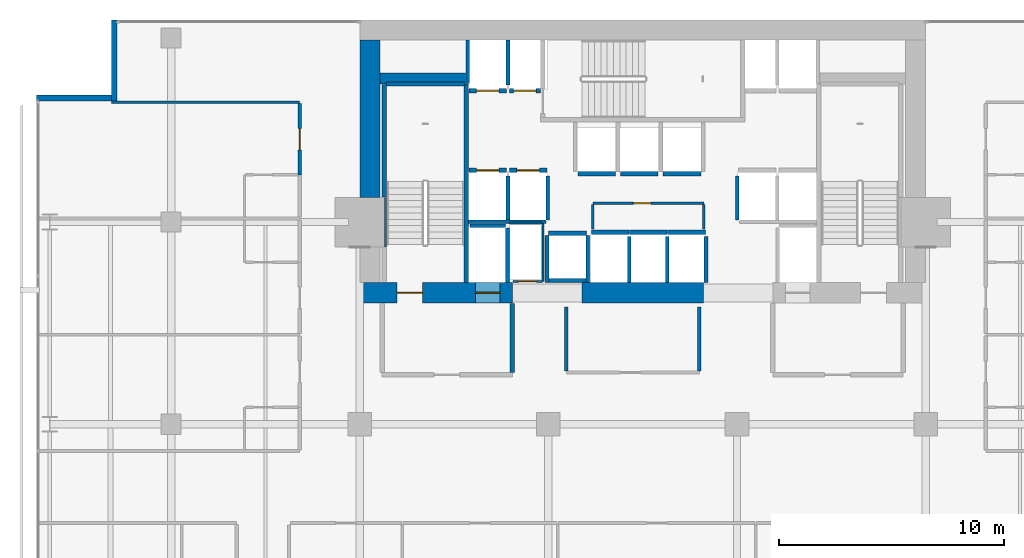
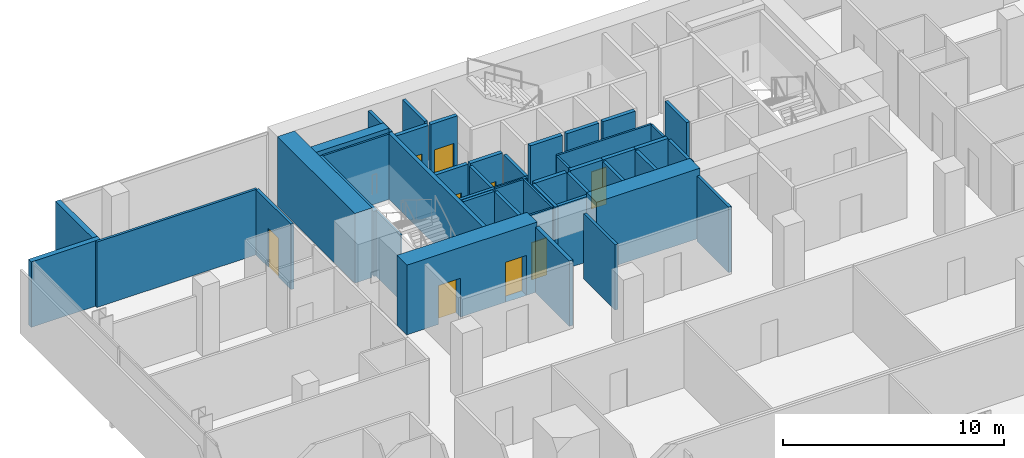
# One storey, part 36 of 40: 46 walls, 9 doors, 9 openings.
"""IFC4 building model written with IfcOpenShell, lengths in metres."""

from ifc_helpers import new_model, si_unit, direction, frame, frame_2d, origin, place, context, subcontext, project, spatial, rectangle, extrude, material, layer, layer_set, type_object, element, fill, save


model = new_model("IFC4")

# Units and contexts
model_context = context("Model", 3, precision=1e-05, world=origin(), true_north=direction((0.0, 1.0)))
body_context = subcontext(model_context, "Body", "Model", "MODEL_VIEW")
ifc_project = project(units=[si_unit("LENGTHUNIT", "METRE"), si_unit("AREAUNIT", "SQUARE_METRE"), si_unit("VOLUMEUNIT", "CUBIC_METRE"), si_unit("PLANEANGLEUNIT", "RADIAN"), si_unit("MASSUNIT", "GRAM", prefix="KILO")], contexts=[model_context])

# Site, building, storey
site_placement = place(None, origin())
site = spatial("IfcSite", under=ifc_project, at=site_placement, CompositionType="ELEMENT")
building_placement = place(site_placement, origin())
building = spatial("IfcBuilding", under=site, at=building_placement, Name="Maruvema Waterfront Hotel and Observation Tower", CompositionType="ELEMENT")
storey_placement = place(building_placement, frame((0.0, 0.0, 77.0)))
storey = spatial("IfcBuildingStorey", under=building, at=storey_placement, Name="L18", CompositionType="ELEMENT", Elevation=77.0)

# Walls
ifc_material_1 = material(Name="Twin-stud acoustic gypsum drywall", Category="gypsum")
ifc_layer_1 = layer(ifc_material_1, 0.14990234375, Name="Acoustic Corridor and Suite Demising Wall 150 mm")
ifc_layer_set_1 = layer_set([ifc_layer_1], Name="Twin-stud acoustic gypsum drywall")
wall_type_1 = type_object("IfcWallType", Name="Acoustic Corridor and Suite Demising Wall 150 mm", PredefinedType="PARTITIONING", material=ifc_layer_set_1)
for number, where, z_axis, x_axis, name in (
    (1, (34.39990234375, 38.3798828125, 0.0), (0.0, 0.0, 1.0), (0.0, 1.0, 0.0), "L18 Core Apron K0 West 014"),
    (2, (40.320068359375, 38.3798828125, 0.0), (0.0, 0.0, 1.0), (0.0, 1.0, 0.0), "L18 Core Apron K0 East 015"),
):
    element("IfcWall", number, at=place(storey_placement, frame(where, z_axis=z_axis, x_axis=x_axis)), inside=storey, type_object=wall_type_1, Name=name, PredefinedType="PARTITIONING", context=body_context, shape_type="SweptSolid", body=[
        extrude(rectangle(XDim=2.840087890625, YDim=0.14990234375, at=frame_2d((1.419921875, 0.0))), origin(), (0.0, 0.0, 1.0), 3.610107421875),
    ])

# Wall, opening, door
wall_1_placement = place(storey_placement, frame((22.52001953125, 47.1083984375, 0.0), z_axis=(0.0, 0.0, 1.0), x_axis=(0.0, 1.0, 0.0)))
wall_1 = element("IfcWall", 3, at=wall_1_placement, inside=storey, type_object=wall_type_1, Name="L18 Room L18-NW3 Corridor Wall 137", PredefinedType="PARTITIONING", context=body_context, shape_type="SweptSolid", body=[
    extrude(rectangle(XDim=3.169189453125, YDim=0.14990234375, at=frame_2d((1.58447265625, 0.0))), origin(), (0.0, 0.0, 1.0), 3.610107421875),
])
opening_1_placement = place(wall_1_placement, frame((1.109619140625, 0.0, 0.0)))
opening_1 = element("IfcOpeningElement", 4, at=opening_1_placement, cuts=wall_1, Name="Opening DR-095", PredefinedType="OPENING", context=body_context, shape_type="SweptSolid", body=[
    extrude(rectangle(XDim=0.949951171875, YDim=2.14990234375, at=frame_2d((0.47509765625, 1.074951171875))), frame((0.0, 0.0849609375, 0.0), z_axis=(0.0, -1.0, 0.0), x_axis=(1.0, 0.0, 0.0)), (0.0, 0.0, 1.0), 0.169921875),
])
ifc_material_2 = material(Name="Acoustic solid-core hardwood timber leaf", Category="wood")
door_type_1 = type_object("IfcDoorType", Name="Guestroom Entrance Fire Door 950x2150 mm", OperationType="NOTDEFINED", PredefinedType="DOOR", material=ifc_material_2)
door_1_placement = place(opening_1_placement, origin())
door_1 = element("IfcDoor", 5, at=door_1_placement, inside=storey, type_object=door_type_1, Name="L18 Room L18-NW3 Entrance Door", OperationType="SINGLE_SWING_LEFT", OverallHeight=2.14990234375, OverallWidth=0.949951171875, PredefinedType="DOOR", context=body_context, shape_type="SweptSolid", body=[
    extrude(rectangle(XDim=0.949951171875, YDim=2.14990234375, at=frame_2d((0.47509765625, 1.074951171875))), frame((0.0, 0.02490234375, 0.0), z_axis=(0.0, -1.0, 0.0), x_axis=(1.0, 0.0, 0.0)), (0.0, 0.0, 1.0), 0.050048828125),
])
fill(opening_1, door_1)

# Walls
ifc_material_3 = material(Name="Precast concrete C45/55", Category="concrete")
ifc_layer_2 = layer(ifc_material_3, 0.199951171875, Name="Core Shaft and Stairwell Enclosure Wall 200 mm")
ifc_layer_set_2 = layer_set([ifc_layer_2], Name="Precast concrete C45/55")
wall_type_2 = type_object("IfcWallType", Name="Core Shaft and Stairwell Enclosure Wall 200 mm", PredefinedType="SOLIDWALL", material=ifc_layer_set_2)
wall_2_placement = place(storey_placement, frame((29.949951171875, 42.300048828125, 0.0), z_axis=(0.0, 0.0, 1.0), x_axis=(0.0, 1.0, 0.0)))
element("IfcWall", 6, at=wall_2_placement, inside=storey, type_object=wall_type_2, Name="L18 Stairwell ST-01 East Shaft Wall", PredefinedType="SOLIDWALL", context=body_context, shape_type="SweptSolid", body=[
    extrude(rectangle(XDim=8.849853515625, YDim=0.199951171875, at=frame_2d((4.4248046875, 0.0))), origin(), (0.0, 0.0, 1.0), 3.610107421875),
])
wall_3_placement = place(storey_placement, frame((26.300048828125, 46.1201171875, 0.0), z_axis=(0.0, 0.0, 1.0), x_axis=(0.0, 1.0, 0.0)))
element("IfcWall", 7, at=wall_3_placement, inside=storey, type_object=wall_type_2, Name="L18 Stairwell ST-01 Shaft Lining Wall", PredefinedType="SOLIDWALL", context=body_context, shape_type="SweptSolid", body=[
    extrude(rectangle(XDim=5.0, YDim=0.199951171875, at=frame_2d((2.5, 0.0))), origin(), (0.0, 0.0, 1.0), 3.610107421875),
])
wall_4_placement = place(storey_placement, frame((26.3798828125, 51.14990234375, 0.0), z_axis=(0.0, 0.0, 1.0), x_axis=(1.0, 0.0, 0.0)))
element("IfcWall", 8, at=wall_4_placement, inside=storey, type_object=wall_type_2, Name="L18 Stairwell ST-01 Shaft Lining Wall", PredefinedType="SOLIDWALL", context=body_context, shape_type="SweptSolid", body=[
    extrude(rectangle(XDim=3.5, YDim=0.199951171875, at=frame_2d((1.75, 0.0))), origin(), (0.0, 0.0, 1.0), 3.610107421875),
])

# Wall, opening, door
wall_5_placement = place(storey_placement, frame((30.06005859375, 47.300048828125, 0.0), z_axis=(0.0, 0.0, 1.0), x_axis=(1.0, 0.0, 0.0)))
wall_5 = element("IfcWall", 9, at=wall_5_placement, inside=storey, type_object=wall_type_2, Name="L18 Lift LF-01 Hoistway Front Wall", PredefinedType="SOLIDWALL", context=body_context, shape_type="SweptSolid", body=[
    extrude(rectangle(XDim=1.679931640625, YDim=0.199951171875, at=frame_2d((0.83984375, 0.0))), origin(), (0.0, 0.0, 1.0), 3.610107421875),
])
opening_2_placement = place(wall_5_placement, frame((0.340087890625, 0.0, 0.0)))
opening_2 = element("IfcOpeningElement", 10, at=opening_2_placement, cuts=wall_5, Name="Opening LD-01", PredefinedType="OPENING", context=body_context, shape_type="SweptSolid", body=[
    extrude(rectangle(XDim=1.0, YDim=2.14990234375, at=frame_2d((0.5, 1.074951171875))), frame((0.0, 0.10986328125, 0.0), z_axis=(0.0, -1.0, 0.0), x_axis=(1.0, 0.0, 0.0)), (0.0, 0.0, 1.0), 0.219970703125),
])
ifc_material_4 = material(Name="Brushed stainless steel Grade 316", Category="steel")
door_type_2 = type_object("IfcDoorType", Name="Passenger Lift Sliding Landing Door 1000x2150 mm", OperationType="SLIDING_TO_LEFT", PredefinedType="DOOR", material=ifc_material_4)
door_2_placement = place(opening_2_placement, origin())
door_2 = element("IfcDoor", 11, at=door_2_placement, inside=storey, type_object=door_type_2, Name="L18 Lift LF-01 Sliding Landing Door", OperationType="SLIDING_TO_LEFT", OverallHeight=2.14990234375, OverallWidth=1.0, PredefinedType="DOOR", context=body_context, shape_type="SweptSolid", body=[
    extrude(rectangle(XDim=1.0, YDim=2.14990234375, at=frame_2d((0.5, 1.074951171875))), frame((0.0, 0.02490234375, 0.0), z_axis=(0.0, -1.0, 0.0), x_axis=(1.0, 0.0, 0.0)), (0.0, 0.0, 1.0), 0.050048828125),
])
fill(opening_2, door_2)

wall_6_placement = place(storey_placement, frame((31.860107421875, 47.300048828125, 0.0), z_axis=(0.0, 0.0, 1.0), x_axis=(1.0, 0.0, 0.0)))
wall_6 = element("IfcWall", 12, at=wall_6_placement, inside=storey, type_object=wall_type_2, Name="L18 Lift LF-02 Hoistway Front Wall", PredefinedType="SOLIDWALL", context=body_context, shape_type="SweptSolid", body=[
    extrude(rectangle(XDim=1.679931640625, YDim=0.199951171875, at=frame_2d((0.83984375, 0.0))), origin(), (0.0, 0.0, 1.0), 3.610107421875),
])
opening_3_placement = place(wall_6_placement, frame((0.340087890625, 0.0, 0.0)))
opening_3 = element("IfcOpeningElement", 13, at=opening_3_placement, cuts=wall_6, Name="Opening LD-01", PredefinedType="OPENING", context=body_context, shape_type="SweptSolid", body=[
    extrude(rectangle(XDim=1.0, YDim=2.14990234375, at=frame_2d((0.5, 1.074951171875))), frame((0.0, 0.10986328125, 0.0), z_axis=(0.0, -1.0, 0.0), x_axis=(1.0, 0.0, 0.0)), (0.0, 0.0, 1.0), 0.219970703125),
])
door_3_placement = place(opening_3_placement, origin())
door_3 = element("IfcDoor", 14, at=door_3_placement, inside=storey, type_object=door_type_2, Name="L18 Lift LF-02 Sliding Landing Door", OperationType="SLIDING_TO_LEFT", OverallHeight=2.14990234375, OverallWidth=1.0, PredefinedType="DOOR", context=body_context, shape_type="SweptSolid", body=[
    extrude(rectangle(XDim=1.0, YDim=2.14990234375, at=frame_2d((0.5, 1.074951171875))), frame((0.0, 0.02490234375, 0.0), z_axis=(0.0, -1.0, 0.0), x_axis=(1.0, 0.0, 0.0)), (0.0, 0.0, 1.0), 0.050048828125),
])
fill(opening_3, door_3)

wall_7_placement = place(storey_placement, frame((30.06005859375, 50.85009765625, 0.0), z_axis=(0.0, 0.0, 1.0), x_axis=(1.0, 0.0, 0.0)))
wall_7 = element("IfcWall", 15, at=wall_7_placement, inside=storey, type_object=wall_type_2, Name="L18 Lift LF-03 Hoistway Front Wall", PredefinedType="SOLIDWALL", context=body_context, shape_type="SweptSolid", body=[
    extrude(rectangle(XDim=1.679931640625, YDim=0.199951171875, at=frame_2d((0.83984375, 0.0))), origin(), (0.0, 0.0, 1.0), 3.610107421875),
])
opening_4_placement = place(wall_7_placement, frame((0.340087890625, 0.0, 0.0)))
opening_4 = element("IfcOpeningElement", 16, at=opening_4_placement, cuts=wall_7, Name="Opening LD-01", PredefinedType="OPENING", context=body_context, shape_type="SweptSolid", body=[
    extrude(rectangle(XDim=1.0, YDim=2.14990234375, at=frame_2d((0.5, 1.074951171875))), frame((0.0, 0.10986328125, 0.0), z_axis=(0.0, -1.0, 0.0), x_axis=(1.0, 0.0, 0.0)), (0.0, 0.0, 1.0), 0.219970703125),
])
door_4_placement = place(opening_4_placement, frame((1.0, 0.0, 0.0), z_axis=(0.0, 0.0, 1.0), x_axis=(-1.0, 0.0, 0.0)))
door_4 = element("IfcDoor", 17, at=door_4_placement, inside=storey, type_object=door_type_2, Name="L18 Lift LF-03 Sliding Landing Door", OperationType="SLIDING_TO_LEFT", OverallHeight=2.14990234375, OverallWidth=1.0, PredefinedType="DOOR", context=body_context, shape_type="SweptSolid", body=[
    extrude(rectangle(XDim=1.0, YDim=2.14990234375, at=frame_2d((0.5, 1.074951171875))), frame((0.0, 0.02490234375, 0.0), z_axis=(0.0, -1.0, 0.0), x_axis=(1.0, 0.0, 0.0)), (0.0, 0.0, 1.0), 0.050048828125),
])
fill(opening_4, door_4)

wall_8_placement = place(storey_placement, frame((31.860107421875, 50.85009765625, 0.0), z_axis=(0.0, 0.0, 1.0), x_axis=(1.0, 0.0, 0.0)))
wall_8 = element("IfcWall", 18, at=wall_8_placement, inside=storey, type_object=wall_type_2, Name="L18 Lift LF-04 Hoistway Front Wall", PredefinedType="SOLIDWALL", context=body_context, shape_type="SweptSolid", body=[
    extrude(rectangle(XDim=1.3798828125, YDim=0.199951171875, at=frame_2d((0.68994140625, 0.0))), origin(), (0.0, 0.0, 1.0), 3.610107421875),
])
opening_5_placement = place(wall_8_placement, frame((0.18994140625, 0.0, 0.0)))
opening_5 = element("IfcOpeningElement", 19, at=opening_5_placement, cuts=wall_8, Name="Opening LD-01", PredefinedType="OPENING", context=body_context, shape_type="SweptSolid", body=[
    extrude(rectangle(XDim=1.0, YDim=2.14990234375, at=frame_2d((0.5, 1.074951171875))), frame((0.0, 0.10986328125, 0.0), z_axis=(0.0, -1.0, 0.0), x_axis=(1.0, 0.0, 0.0)), (0.0, 0.0, 1.0), 0.219970703125),
])
door_5_placement = place(opening_5_placement, frame((1.0, 0.0, 0.0), z_axis=(0.0, 0.0, 1.0), x_axis=(-1.0, 0.0, 0.0)))
door_5 = element("IfcDoor", 20, at=door_5_placement, inside=storey, type_object=door_type_2, Name="L18 Lift LF-04 Sliding Landing Door", OperationType="SLIDING_TO_LEFT", OverallHeight=2.14990234375, OverallWidth=1.0, PredefinedType="DOOR", context=body_context, shape_type="SweptSolid", body=[
    extrude(rectangle(XDim=1.0, YDim=2.14990234375, at=frame_2d((0.5, 1.074951171875))), frame((0.0, 0.02490234375, 0.0), z_axis=(0.0, -1.0, 0.0), x_axis=(1.0, 0.0, 0.0)), (0.0, 0.0, 1.0), 0.050048828125),
])
fill(opening_5, door_5)

# Walls
for number, where, z_axis, x_axis, name in (
    (21, (35.510009765625, 44.550048828125, 0.0), (0.0, 0.0, 1.0), (1.0, 0.0, 0.0), "L18 Lift LF-09 Hoistway Front Wall"),
    (22, (37.2099609375, 44.550048828125, 0.0), (0.0, 0.0, 1.0), (1.0, 0.0, 0.0), "L18 Lift LF-10 Hoistway Front Wall"),
):
    element("IfcWall", number, at=place(storey_placement, frame(where, z_axis=z_axis, x_axis=x_axis)), inside=storey, type_object=wall_type_2, Name=name, PredefinedType="SOLIDWALL", context=body_context, shape_type="SweptSolid", body=[
        extrude(rectangle(XDim=1.679931640625, YDim=0.199951171875, at=frame_2d((0.83984375, 0.0))), origin(), (0.0, 0.0, 1.0), 3.610107421875),
    ])
for number, where, z_axis, x_axis, name in (
    (23, (38.909912109375, 44.550048828125, 0.0), (0.0, 0.0, 1.0), (1.0, 0.0, 0.0), "L18 Lift LF-11 Hoistway Front Wall"),
    (24, (34.909912109375, 47.14990234375, 0.0), (0.0, 0.0, 1.0), (1.0, 0.0, 0.0), "L18 Lift LF-12 Hoistway Front Wall"),
):
    element("IfcWall", number, at=place(storey_placement, frame(where, z_axis=z_axis, x_axis=x_axis)), inside=storey, type_object=wall_type_2, Name=name, PredefinedType="SOLIDWALL", context=body_context, shape_type="SweptSolid", body=[
        extrude(rectangle(XDim=1.68017578125, YDim=0.199951171875, at=frame_2d((0.840087890625, 0.0))), origin(), (0.0, 0.0, 1.0), 3.610107421875),
    ])
for number, where, z_axis, x_axis, name in (
    (25, (36.81005859375, 47.14990234375, 0.0), (0.0, 0.0, 1.0), (1.0, 0.0, 0.0), "L18 Lift LF-13 Hoistway Front Wall"),
    (26, (38.7099609375, 47.14990234375, 0.0), (0.0, 0.0, 1.0), (1.0, 0.0, 0.0), "L18 Lift LF-14 Hoistway Front Wall"),
    (27, (33.610107421875, 44.5, 0.0), (0.0, 0.0, 1.0), (1.0, 0.0, 0.0), "L18 Lift LF-15 Hoistway Front Wall"),
):
    element("IfcWall", number, at=place(storey_placement, frame(where, z_axis=z_axis, x_axis=x_axis)), inside=storey, type_object=wall_type_2, Name=name, PredefinedType="SOLIDWALL", context=body_context, shape_type="SweptSolid", body=[
        extrude(rectangle(XDim=1.679931640625, YDim=0.199951171875, at=frame_2d((0.83984375, 0.0))), origin(), (0.0, 0.0, 1.0), 3.610107421875),
    ])
ifc_material_5 = material(Name="Concrete C70/85", Category="concrete")
ifc_layer_3 = layer(ifc_material_5, 0.5, Name="Core Shear Wall 500 mm")
ifc_layer_set_3 = layer_set([ifc_layer_3], Name="Concrete C70/85")
wall_type_3 = type_object("IfcWallType", Name="Core Shear Wall 500 mm", PredefinedType="SHEAR", material=ifc_layer_set_3)
wall_9_placement = place(storey_placement, frame((26.10009765625, 51.39990234375, 0.0), z_axis=(0.0, 0.0, 1.0), x_axis=(1.0, 0.0, 0.0)))
element("IfcWall", 28, at=wall_9_placement, inside=storey, type_object=wall_type_3, Name="L18 Internal Core Shear Wall NW 500 mm", PredefinedType="SHEAR", context=body_context, shape_type="SweptSolid", body=[
    extrude(rectangle(XDim=3.7998046875, YDim=0.5, at=frame_2d((1.89990234375, 0.0))), origin(), (0.0, 0.0, 1.0), 3.85009765625),
])

# Wall, openings, doors
ifc_material_6 = material(Name="Concrete C80/95", Category="concrete")
ifc_layer_4 = layer(ifc_material_6, 0.89990234375, Name="Core Shear Wall 900 mm")
ifc_layer_set_4 = layer_set([ifc_layer_4], Name="Concrete C80/95")
wall_type_4 = type_object("IfcWallType", Name="Core Shear Wall 900 mm", PredefinedType="SHEAR", material=ifc_layer_set_4)
wall_10_placement = place(storey_placement, frame((25.199951171875, 41.85009765625, 0.0), z_axis=(0.0, 0.0, 1.0), x_axis=(1.0, 0.0, 0.0)))
wall_10 = element("IfcWall", 29, at=wall_10_placement, inside=storey, type_object=wall_type_4, Name="L18 South-West Core Shear Wall", PredefinedType="SHEAR", context=body_context, shape_type="SweptSolid", body=[
    extrude(rectangle(XDim=6.800048828125, YDim=0.89990234375, at=frame_2d((3.39990234375, 0.0))), origin(), (0.0, 0.0, 1.0), 3.85009765625),
])
opening_6_placement = place(wall_10_placement, frame((1.64990234375, 0.0, 0.0)))
opening_6 = element("IfcOpeningElement", 30, at=opening_6_placement, cuts=wall_10, Name="Opening SD-01", PredefinedType="OPENING", context=body_context, shape_type="SweptSolid", body=[
    extrude(rectangle(XDim=1.14990234375, YDim=2.14990234375, at=frame_2d((0.574951171875, 1.074951171875))), frame((0.0, 0.4599609375, 0.0), z_axis=(0.0, -1.0, 0.0), x_axis=(1.0, 0.0, 0.0)), (0.0, 0.0, 1.0), 0.919921875),
])
opening_7_placement = place(wall_10_placement, frame((5.14990234375, 0.0, 0.0)))
opening_7 = element("IfcOpeningElement", 31, at=opening_7_placement, cuts=wall_10, Name="Opening LD-03", PredefinedType="OPENING", context=body_context, shape_type="SweptSolid", body=[
    extrude(rectangle(XDim=1.10009765625, YDim=2.199951171875, at=frame_2d((0.550048828125, 1.10009765625))), frame((0.0, 0.4599609375, 0.0), z_axis=(0.0, -1.0, 0.0), x_axis=(1.0, 0.0, 0.0)), (0.0, 0.0, 1.0), 0.919921875),
])
ifc_material_7 = material(Name="Fire-rated galvanised steel leaf", Category="steel")
door_type_3 = type_object("IfcDoorType", Name="Exit Stair Fire Door 1150x2150 mm", OperationType="NOTDEFINED", PredefinedType="DOOR", material=ifc_material_7)
door_6_placement = place(opening_6_placement, origin())
door_6 = element("IfcDoor", 32, at=door_6_placement, inside=storey, type_object=door_type_3, Name="L18 Exit Stair ST-01 Fire Door", OperationType="SINGLE_SWING_LEFT", OverallHeight=2.14990234375, OverallWidth=1.14990234375, PredefinedType="DOOR", context=body_context, shape_type="SweptSolid", body=[
    extrude(rectangle(XDim=1.14990234375, YDim=2.14990234375, at=frame_2d((0.574951171875, 1.074951171875))), frame((0.0, 0.02490234375, 0.0), z_axis=(0.0, -1.0, 0.0), x_axis=(1.0, 0.0, 0.0)), (0.0, 0.0, 1.0), 0.050048828125),
])
fill(opening_6, door_6)
ifc_material_8 = material(Name="Brushed stainless steel Grade 316", Category="steel")
door_type_4 = type_object("IfcDoorType", Name="Firefighting Lift Sliding Landing Door 1100x2200 mm", OperationType="SLIDING_TO_LEFT", PredefinedType="DOOR", material=ifc_material_8)
door_7_placement = place(opening_7_placement, frame((1.10009765625, 0.0, 0.0), z_axis=(0.0, 0.0, 1.0), x_axis=(-1.0, 0.0, 0.0)))
door_7 = element("IfcDoor", 33, at=door_7_placement, inside=storey, type_object=door_type_4, Name="L18 Firefighting Lift FL-01 Landing Door", OperationType="SLIDING_TO_LEFT", OverallHeight=2.199951171875, OverallWidth=1.10009765625, PredefinedType="DOOR", context=body_context, shape_type="SweptSolid", body=[
    extrude(rectangle(XDim=1.10009765625, YDim=2.199951171875, at=frame_2d((0.550048828125, 1.10009765625))), frame((0.0, 0.02490234375, 0.0), z_axis=(0.0, -1.0, 0.0), x_axis=(1.0, 0.0, 0.0)), (0.0, 0.0, 1.0), 0.050048828125),
])
fill(opening_7, door_7)

# Walls
wall_11_placement = place(storey_placement, frame((35.10009765625, 41.85009765625, 0.0), z_axis=(0.0, 0.0, 1.0), x_axis=(1.0, 0.0, 0.0)))
element("IfcWall", 34, at=wall_11_placement, inside=storey, type_object=wall_type_4, Name="L18 South-Central Core Shear Wall", PredefinedType="SHEAR", context=body_context, shape_type="SweptSolid", body=[
    extrude(rectangle(XDim=5.39990234375, YDim=0.89990234375, at=frame_2d((2.699951171875, 0.0))), origin(), (0.0, 0.0, 1.0), 3.85009765625),
])
wall_12_placement = place(storey_placement, frame((25.64990234375, 46.10009765625, 0.0), z_axis=(0.0, 0.0, 1.0), x_axis=(0.0, 1.0, 0.0)))
element("IfcWall", 35, at=wall_12_placement, inside=storey, type_object=wall_type_4, Name="L18 West-North Core Shear Wall", PredefinedType="SHEAR", context=body_context, shape_type="SweptSolid", body=[
    extrude(rectangle(XDim=7.0, YDim=0.89990234375, at=frame_2d((3.5, 0.0))), origin(), (0.0, 0.0, 1.0), 3.85009765625),
])

# Wall, opening, door
ifc_material_9 = material(Name="Moisture-resistant cement-board drywall", Category="gypsum")
ifc_layer_5 = layer(ifc_material_9, 0.10009765625, Name="En-Suite Moisture-Resistant Partition 100 mm")
ifc_layer_set_5 = layer_set([ifc_layer_5], Name="Moisture-resistant cement-board drywall")
wall_type_5 = type_object("IfcWallType", Name="En-Suite Moisture-Resistant Partition 100 mm", PredefinedType="PARTITIONING", material=ifc_layer_set_5)
wall_13_placement = place(storey_placement, frame((32.02001953125, 42.360107421875, 0.0), z_axis=(0.0, 0.0, 1.0), x_axis=(1.0, 0.0, 0.0)))
wall_13 = element("IfcWall", 36, at=wall_13_placement, inside=storey, type_object=wall_type_5, Name="L18 Telecom Riser South Wall 007", PredefinedType="PARTITIONING", context=body_context, shape_type="SweptSolid", body=[
    extrude(rectangle(XDim=1.320068359375, YDim=0.10009765625, at=frame_2d((0.66015625, 0.0))), origin(), (0.0, 0.0, 1.0), 3.610107421875),
])
opening_8_placement = place(wall_13_placement, frame((0.239990234375, 0.0, 0.0)))
opening_8 = element("IfcOpeningElement", 37, at=opening_8_placement, cuts=wall_13, Name="Opening DR-080", PredefinedType="OPENING", context=body_context, shape_type="SweptSolid", body=[
    extrude(rectangle(XDim=0.800048828125, YDim=2.050048828125, at=frame_2d((0.39990234375, 1.02490234375))), frame((0.0, 0.06005859375, 0.0), z_axis=(0.0, -1.0, 0.0), x_axis=(1.0, 0.0, 0.0)), (0.0, 0.0, 1.0), 0.1201171875),
])
ifc_material_10 = material(Name="Powder-coated steel access leaf", Category="steel")
door_type_5 = type_object("IfcDoorType", Name="Riser and Service Cupboard Door 800x2050 mm", OperationType="NOTDEFINED", PredefinedType="DOOR", material=ifc_material_10)
door_8_placement = place(opening_8_placement, frame((0.800048828125, 0.0, 0.0), z_axis=(0.0, 0.0, 1.0), x_axis=(-1.0, 0.0, 0.0)))
door_8 = element("IfcDoor", 38, at=door_8_placement, inside=storey, type_object=door_type_5, Name="L18 Telecom Riser Door", OperationType="SINGLE_SWING_LEFT", OverallHeight=2.050048828125, OverallWidth=0.800048828125, PredefinedType="DOOR", context=body_context, shape_type="SweptSolid", body=[
    extrude(rectangle(XDim=0.800048828125, YDim=2.050048828125, at=frame_2d((0.39990234375, 1.02490234375))), frame((0.0, 0.02490234375, 0.0), z_axis=(0.0, -1.0, 0.0), x_axis=(1.0, 0.0, 0.0)), (0.0, 0.0, 1.0), 0.050048828125),
])
fill(opening_8, door_8)

# Walls
wall_14_placement = place(storey_placement, frame((31.840087890625, 44.9599609375, 0.0), z_axis=(0.0, 0.0, 1.0), x_axis=(1.0, 0.0, 0.0)))
element("IfcWall", 39, at=wall_14_placement, inside=storey, type_object=wall_type_5, Name="L18 Telecom Riser North Wall 008", PredefinedType="PARTITIONING", context=body_context, shape_type="SweptSolid", body=[
    extrude(rectangle(XDim=1.47998046875, YDim=0.10009765625, at=frame_2d((0.739990234375, 0.0))), origin(), (0.0, 0.0, 1.0), 3.610107421875),
])
wall_15_placement = place(storey_placement, frame((33.360107421875, 42.360107421875, 0.0), z_axis=(0.0, 0.0, 1.0), x_axis=(0.0, 1.0, 0.0)))
element("IfcWall", 40, at=wall_15_placement, inside=storey, type_object=wall_type_5, Name="L18 Telecom Riser East Wall 009", PredefinedType="PARTITIONING", context=body_context, shape_type="SweptSolid", body=[
    extrude(rectangle(XDim=2.579833984375, YDim=0.10009765625, at=frame_2d((1.2900390625, 0.0))), origin(), (0.0, 0.0, 1.0), 3.610107421875),
])

# Wall, opening, door
wall_16_placement = place(storey_placement, frame((35.580078125, 45.840087890625, 0.0), z_axis=(0.0, 0.0, 1.0), x_axis=(1.0, 0.0, 0.0)))
wall_16 = element("IfcWall", 41, at=wall_16_placement, inside=storey, type_object=wall_type_5, Name="L18 Core Closet K0 North 010", PredefinedType="PARTITIONING", context=body_context, shape_type="SweptSolid", body=[
    extrude(rectangle(XDim=4.93994140625, YDim=0.10009765625, at=frame_2d((2.469970703125, 0.0))), origin(), (0.0, 0.0, 1.0), 3.610107421875),
])
opening_9_placement = place(wall_16_placement, frame((1.800048828125, 0.0, 0.0)))
opening_9 = element("IfcOpeningElement", 42, at=opening_9_placement, cuts=wall_16, Name="Opening DR-080", PredefinedType="OPENING", context=body_context, shape_type="SweptSolid", body=[
    extrude(rectangle(XDim=0.800048828125, YDim=2.050048828125, at=frame_2d((0.39990234375, 1.02490234375))), frame((0.0, 0.06005859375, 0.0), z_axis=(0.0, -1.0, 0.0), x_axis=(1.0, 0.0, 0.0)), (0.0, 0.0, 1.0), 0.1201171875),
])
door_9_placement = place(opening_9_placement, origin())
door_9 = element("IfcDoor", 43, at=door_9_placement, inside=storey, type_object=door_type_5, Name="L18 Core Electrical Closet Door", OperationType="SINGLE_SWING_RIGHT", OverallHeight=2.050048828125, OverallWidth=0.800048828125, PredefinedType="DOOR", context=body_context, shape_type="SweptSolid", body=[
    extrude(rectangle(XDim=0.800048828125, YDim=2.050048828125, at=frame_2d((0.39990234375, 1.02490234375))), frame((0.0, 0.02490234375, 0.0), z_axis=(0.0, -1.0, 0.0), x_axis=(1.0, 0.0, 0.0)), (0.0, 0.0, 1.0), 0.050048828125),
])
fill(opening_9, door_9)

# Walls
for number, where, z_axis, x_axis, name in (
    (44, (35.580078125, 44.699951171875, 0.0), (0.0, 0.0, 1.0), (0.0, 1.0, 0.0), "L18 Core Closet K0 West 011"),
    (45, (40.52001953125, 44.699951171875, 0.0), (0.0, 0.0, 1.0), (0.0, 1.0, 0.0), "L18 Core Closet K0 East 012"),
):
    element("IfcWall", number, at=place(storey_placement, frame(where, z_axis=z_axis, x_axis=x_axis)), inside=storey, type_object=wall_type_5, Name=name, PredefinedType="PARTITIONING", context=body_context, shape_type="SweptSolid", body=[
        extrude(rectangle(XDim=1.080078125, YDim=0.10009765625, at=frame_2d((0.5400390625, 0.0))), origin(), (0.0, 0.0, 1.0), 3.610107421875),
    ])
ifc_material_11 = material(Name="Precast concrete C45/55 with honed Pernambuco granite facing", Category="masonry")
ifc_layer_6 = layer(ifc_material_11, 0.260009765625, Name="Exterior Granite Clad Spandrel and Pier Wall 260 mm")
ifc_layer_set_6 = layer_set([ifc_layer_6], Name="Precast concrete C45/55 with honed Pernambuco granite facing")
wall_type_6 = type_object("IfcWallType", Name="Exterior Granite Clad Spandrel and Pier Wall 260 mm", PredefinedType="SOLIDWALL", material=ifc_layer_set_6)
wall_17_placement = place(storey_placement, frame((14.27001953125, 50.39990234375, 0.0), z_axis=(0.0, 0.0, 1.0), x_axis=(0.0, 1.0, 0.0)))
element("IfcWall", 46, at=wall_17_placement, inside=storey, type_object=wall_type_6, Name="L18 Corner Notch Granite Pier Wall NW1", PredefinedType="SOLIDWALL", context=body_context, shape_type="SweptSolid", body=[
    extrude(rectangle(XDim=3.60009765625, YDim=0.260009765625, at=frame_2d((1.800048828125, 0.0))), origin(), (0.0, 0.0, 1.0), 3.610107421875),
])
wall_18_placement = place(storey_placement, frame((10.800048828125, 50.530029296875, 0.0), z_axis=(0.0, 0.0, 1.0), x_axis=(1.0, 0.0, 0.0)))
element("IfcWall", 47, at=wall_18_placement, inside=storey, type_object=wall_type_6, Name="L18 Corner Notch Granite Pier Wall NW2", PredefinedType="SOLIDWALL", context=body_context, shape_type="SweptSolid", body=[
    extrude(rectangle(XDim=3.599853515625, YDim=0.260009765625, at=frame_2d((1.7998046875, 0.0))), origin(), (0.0, 0.0, 1.0), 3.610107421875),
])
ifc_material_12 = material(Name="Autoclaved cellular concrete blockwork", Category="masonry")
ifc_layer_7 = layer(ifc_material_12, 0.199951171875, Name="Fire Compartment Masonry Wall 200 mm")
ifc_layer_set_7 = layer_set([ifc_layer_7], Name="Autoclaved cellular concrete blockwork")
wall_type_7 = type_object("IfcWallType", Name="Fire Compartment Masonry Wall 200 mm", PredefinedType="PARTITIONING", material=ifc_layer_set_7)
wall_19_placement = place(storey_placement, frame((32.0, 38.31005859375, 0.0), z_axis=(0.0, 0.0, 1.0), x_axis=(0.0, 1.0, 0.0)))
element("IfcWall", 48, at=wall_19_placement, inside=storey, type_object=wall_type_7, Name="L18 FFL West East Wall 003", PredefinedType="PARTITIONING", context=body_context, shape_type="SweptSolid", body=[
    extrude(rectangle(XDim=3.06982421875, YDim=0.199951171875, at=frame_2d((1.534912109375, 0.0))), origin(), (0.0, 0.0, 1.0), 3.610107421875),
])
ifc_material_13 = material(Name="Acoustic gypsum plasterboard drywall", Category="gypsum")
ifc_layer_8 = layer(ifc_material_13, 0.125, Name="Guestroom Acoustic Demising Wall 125 mm")
ifc_layer_set_8 = layer_set([ifc_layer_8], Name="Acoustic gypsum plasterboard drywall")
wall_type_8 = type_object("IfcWallType", Name="Guestroom Acoustic Demising Wall 125 mm", PredefinedType="PARTITIONING", material=ifc_layer_set_8)
wall_20_placement = place(storey_placement, frame((14.139892578125, 50.33740234375, 0.0), z_axis=(0.0, 0.0, 1.0), x_axis=(1.0, 0.0, 0.0)))
element("IfcWall", 49, at=wall_20_placement, inside=storey, type_object=wall_type_8, Name="L18 NW Top End 114", PredefinedType="PARTITIONING", context=body_context, shape_type="SweptSolid", body=[
    extrude(rectangle(XDim=8.380126953125, YDim=0.125, at=frame_2d((4.18994140625, 0.0))), origin(), (0.0, 0.0, 1.0), 3.610107421875),
])
ifc_material_14 = material(Name="Precast concrete C45/55", Category="concrete")
ifc_layer_9 = layer(ifc_material_14, 0.159912109375, Name="Lift Hoistway Divider Wall 160 mm")
ifc_layer_set_9 = layer_set([ifc_layer_9], Name="Precast concrete C45/55")
wall_type_9 = type_object("IfcWallType", Name="Lift Hoistway Divider Wall 160 mm", PredefinedType="SOLIDWALL", material=ifc_layer_set_9)
wall_21_placement = place(storey_placement, frame((30.10009765625, 44.830078125, 0.0), z_axis=(0.0, 0.0, 1.0), x_axis=(1.0, 0.0, 0.0)))
element("IfcWall", 50, at=wall_21_placement, inside=storey, type_object=wall_type_9, Name="L18 Lift FL-01 Rear Hoistway Wall", PredefinedType="SOLIDWALL", context=body_context, shape_type="SweptSolid", body=[
    extrude(rectangle(XDim=1.599853515625, YDim=0.159912109375, at=frame_2d((0.7998046875, 0.0))), origin(), (0.0, 0.0, 1.0), 3.610107421875),
])
wall_22_placement = place(storey_placement, frame((31.780029296875, 42.300048828125, 0.0), z_axis=(0.0, 0.0, 1.0), x_axis=(0.0, 1.0, 0.0)))
element("IfcWall", 51, at=wall_22_placement, inside=storey, type_object=wall_type_9, Name="L18 Lift FL-01 Inner Hoistway Wall", PredefinedType="SOLIDWALL", context=body_context, shape_type="SweptSolid", body=[
    extrude(rectangle(XDim=2.43994140625, YDim=0.159912109375, at=frame_2d((1.219970703125, 0.0))), origin(), (0.0, 0.0, 1.0), 3.610107421875),
])
for number, where, z_axis, x_axis, name in (
    (52, (31.800048828125, 45.10009765625, 0.0), (0.0, 0.0, 1.0), (0.0, 1.0, 0.0), "L18 Hoistway Divider Wall"),
    (53, (33.580078125, 45.10009765625, 0.0), (0.0, 0.0, 1.0), (0.0, 1.0, 0.0), "L18 Hoistway Divider Wall"),
):
    element("IfcWall", number, at=place(storey_placement, frame(where, z_axis=z_axis, x_axis=x_axis)), inside=storey, type_object=wall_type_9, Name=name, PredefinedType="SOLIDWALL", context=body_context, shape_type="SweptSolid", body=[
        extrude(rectangle(XDim=1.949951171875, YDim=0.159912109375, at=frame_2d((0.97509765625, 0.0))), origin(), (0.0, 0.0, 1.0), 3.610107421875),
    ])
wall_23_placement = place(storey_placement, frame((30.050048828125, 45.010009765625, 0.0), z_axis=(0.0, 0.0, 1.0), x_axis=(1.0, 0.0, 0.0)))
element("IfcWall", 54, at=wall_23_placement, inside=storey, type_object=wall_type_9, Name="L18 Hoistway Divider Wall", PredefinedType="SOLIDWALL", context=body_context, shape_type="SweptSolid", body=[
    extrude(rectangle(XDim=3.449951171875, YDim=0.159912109375, at=frame_2d((1.72509765625, 0.0))), origin(), (0.0, 0.0, 1.0), 3.610107421875),
])
wall_24_placement = place(storey_placement, frame((30.010009765625, 51.179931640625, 0.0), z_axis=(0.0, 0.0, 1.0), x_axis=(0.0, 1.0, 0.0)))
element("IfcWall", 55, at=wall_24_placement, inside=storey, type_object=wall_type_9, Name="L18 Hoistway Divider Wall", PredefinedType="SOLIDWALL", context=body_context, shape_type="SweptSolid", body=[
    extrude(rectangle(XDim=1.920166015625, YDim=0.159912109375, at=frame_2d((0.9599609375, 0.0))), origin(), (0.0, 0.0, 1.0), 3.610107421875),
])
wall_25_placement = place(storey_placement, frame((31.800048828125, 51.10009765625, 0.0), z_axis=(0.0, 0.0, 1.0), x_axis=(0.0, 1.0, 0.0)))
element("IfcWall", 56, at=wall_25_placement, inside=storey, type_object=wall_type_9, Name="L18 Hoistway Divider Wall", PredefinedType="SOLIDWALL", context=body_context, shape_type="SweptSolid", body=[
    extrude(rectangle(XDim=2.0, YDim=0.159912109375, at=frame_2d((1.0, 0.0))), origin(), (0.0, 0.0, 1.0), 3.610107421875),
])
wall_26_placement = place(storey_placement, frame((42.02001953125, 45.10009765625, 0.0), z_axis=(0.0, 0.0, 1.0), x_axis=(0.0, 1.0, 0.0)))
element("IfcWall", 57, at=wall_26_placement, inside=storey, type_object=wall_type_9, Name="L18 Hoistway Divider Wall", PredefinedType="SOLIDWALL", context=body_context, shape_type="SweptSolid", body=[
    extrude(rectangle(XDim=1.949951171875, YDim=0.159912109375, at=frame_2d((0.97509765625, 0.0))), origin(), (0.0, 0.0, 1.0), 3.610107421875),
])
for number, where, z_axis, x_axis, name in (
    (58, (37.199951171875, 42.300048828125, 0.0), (0.0, 0.0, 1.0), (0.0, 1.0, 0.0), "L18 Hoistway Divider Wall"),
    (59, (38.89990234375, 42.300048828125, 0.0), (0.0, 0.0, 1.0), (0.0, 1.0, 0.0), "L18 Hoistway Divider Wall"),
    (60, (40.6201171875, 42.300048828125, 0.0), (0.0, 0.0, 1.0), (0.0, 1.0, 0.0), "L18 Hoistway Divider Wall"),
):
    element("IfcWall", number, at=place(storey_placement, frame(where, z_axis=z_axis, x_axis=x_axis)), inside=storey, type_object=wall_type_9, Name=name, PredefinedType="SOLIDWALL", context=body_context, shape_type="SweptSolid", body=[
        extrude(rectangle(XDim=2.050048828125, YDim=0.159912109375, at=frame_2d((1.02490234375, 0.0))), origin(), (0.0, 0.0, 1.0), 3.610107421875),
    ])
for number, where, z_axis, x_axis, name in (
    (61, (33.5400390625, 42.300048828125, 0.0), (0.0, 0.0, 1.0), (0.0, 1.0, 0.0), "L18 Hoistway Divider Wall"),
    (62, (35.360107421875, 42.300048828125, 0.0), (0.0, 0.0, 1.0), (0.0, 1.0, 0.0), "L18 Hoistway Divider Wall"),
):
    element("IfcWall", number, at=place(storey_placement, frame(where, z_axis=z_axis, x_axis=x_axis)), inside=storey, type_object=wall_type_9, Name=name, PredefinedType="SOLIDWALL", context=body_context, shape_type="SweptSolid", body=[
        extrude(rectangle(XDim=2.099853515625, YDim=0.159912109375, at=frame_2d((1.0498046875, 0.0))), origin(), (0.0, 0.0, 1.0), 3.610107421875),
    ])
wall_27_placement = place(storey_placement, frame((33.6201171875, 42.39990234375, 0.0), z_axis=(0.0, 0.0, 1.0), x_axis=(1.0, 0.0, 0.0)))
element("IfcWall", 63, at=wall_27_placement, inside=storey, type_object=wall_type_9, Name="L18 Hoistway Divider Wall", PredefinedType="SOLIDWALL", context=body_context, shape_type="SweptSolid", body=[
    extrude(rectangle(XDim=1.659912109375, YDim=0.159912109375, at=frame_2d((0.830078125, 0.0))), origin(), (0.0, 0.0, 1.0), 3.610107421875),
])
ifc_material_15 = material(Name="Precast concrete C45/55", Category="concrete")
ifc_layer_10 = layer(ifc_material_15, 0.10009765625, Name="Stairwell Stringer Cheek Wall 100 mm")
ifc_layer_set_10 = layer_set([ifc_layer_10], Name="Precast concrete C45/55")
wall_type_10 = type_object("IfcWallType", Name="Stairwell Stringer Cheek Wall 100 mm", PredefinedType="SOLIDWALL", material=ifc_layer_set_10)
wall_28_placement = place(storey_placement, frame((26.35205078125, 43.89990234375, 0.0), z_axis=(0.0, 0.0, 1.0), x_axis=(0.0, 1.0, 0.0)))
element("IfcWall", 64, at=wall_28_placement, inside=storey, type_object=wall_type_10, Name="L18 Stairwell ST-01 Mega-Column Cheek Wall", PredefinedType="SOLIDWALL", context=body_context, shape_type="SweptSolid", body=[
    extrude(rectangle(XDim=2.2001953125, YDim=0.10009765625, at=frame_2d((1.10009765625, 0.0))), origin(), (0.0, 0.0, 1.0), 3.610107421875),
])

save(model, "model.ifc")
